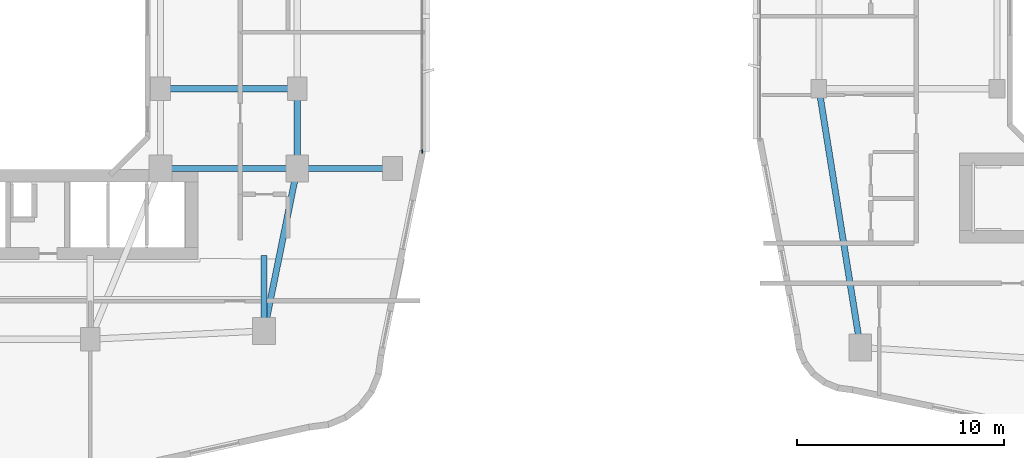
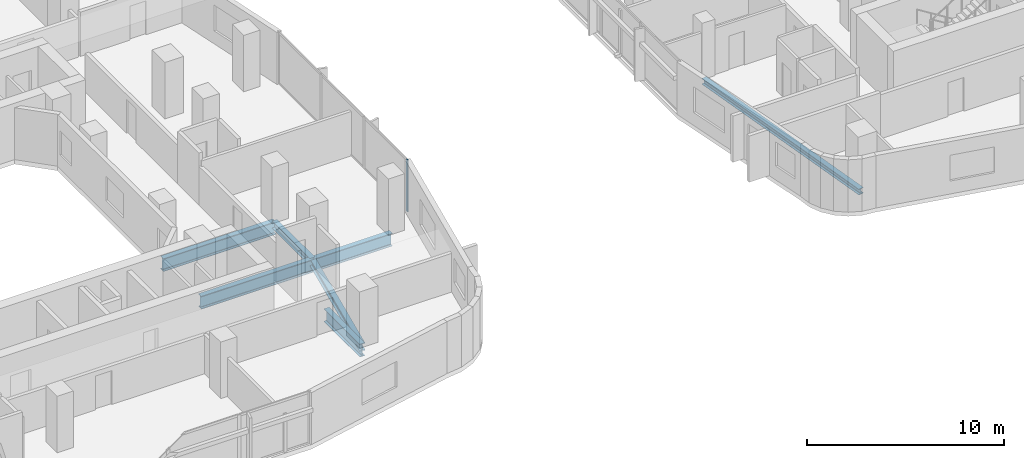
# One storey, part 4 of 26: 7 beams, 1 member, 1 element without a shape of its own.
"""IFC4 building model written with IfcOpenShell, lengths in metres."""

from ifc_helpers import new_model, si_unit, derived_unit, direction, frame, origin, origin_2d, place, context, subcontext, project, spatial, rectangle, i_section, extrude, material, layer, layer_set, material_profile, profile_set, type_object, element, aggregate, save


model = new_model("IFC4")

# Units and contexts
model_context = context("Model", 3, precision=1e-05, world=origin(), true_north=direction((0.0, 1.0)))
body_context = subcontext(model_context, "Body", "Model", "MODEL_VIEW")
ifc_project = project(units=[si_unit("LENGTHUNIT", "METRE"), si_unit("AREAUNIT", "SQUARE_METRE"), si_unit("VOLUMEUNIT", "CUBIC_METRE"), si_unit("PLANEANGLEUNIT", "RADIAN"), si_unit("MASSUNIT", "GRAM", prefix="KILO"), derived_unit("THERMALTRANSMITTANCEUNIT", [(si_unit("POWERUNIT", "WATT"), 1), (si_unit("LENGTHUNIT", "METRE"), -2), (si_unit("THERMODYNAMICTEMPERATUREUNIT", "KELVIN"), -1)])], contexts=[model_context])

# Site, building, storey
site_placement = place(None, origin())
site = spatial("IfcSite", under=ifc_project, at=site_placement, CompositionType="ELEMENT")
building_placement = place(site_placement, origin())
building = spatial("IfcBuilding", under=site, at=building_placement, Name="Kivonza Crest Hotel", CompositionType="ELEMENT")
storey_placement = place(building_placement, frame((0.0, 0.0, 45.0)))
storey = spatial("IfcBuildingStorey", under=building, at=storey_placement, Name="L11", CompositionType="ELEMENT", Elevation=45.0)

# Beams
ifc_material_1 = material(Name="Steel S355", Category="steel")
ifc_material_profile_1 = material_profile(ifc_material_1, i_section(OverallWidth=0.300048828125, OverallDepth=0.360107421875, WebThickness=0.012451171875, FlangeThickness=0.0224609375, FilletRadius=0.027099609375, at=origin_2d()), Name="HEB 360")
ifc_profile_set_1 = profile_set([ifc_material_profile_1], Name="Steel S355")
beam_type_1 = type_object("IfcBeamType", Name="BM-HEB360", PredefinedType="SPANDREL", material=ifc_profile_set_1)
beam_1_placement = place(storey_placement, frame((61.0, 21.5, -0.429931640625), z_axis=(0.157990501107, -0.987440631917, 0.0), x_axis=(0.987440631917, 0.157990501107, 0.0)))
element("IfcBeam", 1, at=beam_1_placement, inside=storey, type_object=beam_type_1, Name="Companion Tower T2 L11 perimeter spandrel W1-SW", PredefinedType="SPANDREL", context=body_context, shape_type="SweptSolid", body=[
    extrude(i_section(OverallWidth=0.300048828125, OverallDepth=0.360107421875, WebThickness=0.012451171875, FlangeThickness=0.0224609375, FilletRadius=0.027099609375, at=origin_2d()), origin(), (0.0, 0.0, 1.0), 12.658935546875),
])
ifc_material_profile_2 = material_profile(ifc_material_1, i_section(OverallWidth=0.300048828125, OverallDepth=0.449951171875, WebThickness=0.013916015625, FlangeThickness=0.02587890625, FilletRadius=0.027099609375, at=origin_2d()), Name="HEB 450")
ifc_profile_set_2 = profile_set([ifc_material_profile_2], Name="Steel S355")
beam_type_2 = type_object("IfcBeamType", Name="BM-HEB450", PredefinedType="SPANDREL", material=ifc_profile_set_2)
beam_2_placement = place(storey_placement, frame((34.199951171875, 9.800048828125, -0.5048828125), z_axis=(0.199730733965, 0.979850822273, 0.0), x_axis=(-0.979850822273, 0.199730733965, 0.0)))
element("IfcBeam", 2, at=beam_2_placement, inside=storey, type_object=beam_type_2, Name="Tower T1 L11 perimeter spandrel SE-PSE", PredefinedType="SPANDREL", context=body_context, shape_type="SweptSolid", body=[
    extrude(i_section(OverallWidth=0.300048828125, OverallDepth=0.449951171875, WebThickness=0.013916015625, FlangeThickness=0.02587890625, FilletRadius=0.027099609375, at=origin_2d()), origin(), (0.0, 0.0, 1.0), 8.01123046875),
])
beam_3_placement = place(storey_placement, frame((35.800048828125, 17.64990234375, -0.5048828125), z_axis=(0.0, 1.0, 0.0), x_axis=(-1.0, 0.0, 0.0)))
element("IfcBeam", 3, at=beam_3_placement, inside=storey, type_object=beam_type_2, Name="Tower T1 L11 perimeter spandrel PSE-E1", PredefinedType="SPANDREL", context=body_context, shape_type="SweptSolid", body=[
    extrude(i_section(OverallWidth=0.300048828125, OverallDepth=0.449951171875, WebThickness=0.013916015625, FlangeThickness=0.02587890625, FilletRadius=0.027099609375, at=origin_2d()), origin(), (0.0, 0.0, 1.0), 3.85009765625),
])
ifc_material_profile_3 = material_profile(ifc_material_1, i_section(OverallWidth=0.300048828125, OverallDepth=0.800048828125, WebThickness=0.017578125, FlangeThickness=0.032958984375, FilletRadius=0.030029296875, at=origin_2d()), Name="HEB 800")
ifc_profile_set_3 = profile_set([ifc_material_profile_3], Name="Steel S355")
beam_type_3 = type_object("IfcBeamType", Name="BM-HEB800", PredefinedType="BEAM", material=ifc_profile_set_3)
for number, where, z_axis, x_axis, name in (
    (4, (29.199951171875, 17.64990234375, -0.679931640625), (1.0, 0.0, 0.0), (0.0, 1.0, 0.0), "Tower T1 L11 primary girder TSE-PSE"),
    (5, (29.199951171875, 21.5, -0.679931640625), (1.0, 0.0, 0.0), (0.0, 1.0, 0.0), "Tower T1 L11 primary girder WR1-E1"),
):
    element("IfcBeam", number, at=place(storey_placement, frame(where, z_axis=z_axis, x_axis=x_axis)), inside=storey, type_object=beam_type_3, Name=name, PredefinedType="BEAM", context=body_context, shape_type="SweptSolid", body=[
        extrude(i_section(OverallWidth=0.300048828125, OverallDepth=0.800048828125, WebThickness=0.017578125, FlangeThickness=0.032958984375, FilletRadius=0.030029296875, at=origin_2d()), origin(), (0.0, 0.0, 1.0), 6.60009765625),
    ])
beam_4_placement = place(storey_placement, frame((40.39990234375, 17.64990234375, -0.679931640625), z_axis=(-1.0, 0.0, 0.0), x_axis=(0.0, -1.0, 0.0)))
element("IfcBeam", 6, at=beam_4_placement, inside=storey, type_object=beam_type_3, Name="Tower T1 L11 outer bay girder ZE1", PredefinedType="BEAM", context=body_context, shape_type="SweptSolid", body=[
    extrude(i_section(OverallWidth=0.300048828125, OverallDepth=0.800048828125, WebThickness=0.017578125, FlangeThickness=0.032958984375, FilletRadius=0.030029296875, at=origin_2d()), origin(), (0.0, 0.0, 1.0), 4.599853515625),
])
beam_5_placement = place(storey_placement, frame((34.199951171875, 9.800048828125, -0.679931640625), z_axis=(0.0, 1.0, 0.0), x_axis=(-1.0, 0.0, 0.0)))
element("IfcBeam", 7, at=beam_5_placement, inside=storey, type_object=beam_type_3, Name="Tower T1 L11 radial core girder RSE", PredefinedType="BEAM", context=body_context, shape_type="SweptSolid", body=[
    extrude(i_section(OverallWidth=0.300048828125, OverallDepth=0.800048828125, WebThickness=0.017578125, FlangeThickness=0.032958984375, FilletRadius=0.030029296875, at=origin_2d()), origin(), (0.0, 0.0, 1.0), 3.64990234375),
])

# Curtain wall, member
ifc_material_2 = material(Name="Anodised bronze aluminium and low-E double glazing", Category="aluminium")
ifc_layer = layer(ifc_material_2, 0.179931640625)
ifc_layer_set = layer_set([ifc_layer], Name="Anodised bronze aluminium and low-E double glazing")
curtain_wall_type = type_object("IfcCurtainWallType", Name="CW-SYS-2", PredefinedType="NOTDEFINED", material=ifc_layer_set)
curtain_wall_placement = place(storey_placement, origin())
curtain_wall = element("IfcCurtainWall", 8, at=curtain_wall_placement, inside=storey, type_object=curtain_wall_type, Name="L11 unitised curtain wall CW-T1-L11-17", PredefinedType="NOTDEFINED")
ifc_material_3 = material(Name="Anodised bronze aluminium", Category="aluminium")
ifc_material_profile_4 = material_profile(ifc_material_3, rectangle(XDim=0.06494140625, YDim=0.179931640625, at=origin_2d()), Name="CW-M 65x180")
ifc_profile_set_4 = profile_set([ifc_material_profile_4], Name="Anodised bronze aluminium")
member_type = type_object("IfcMemberType", Name="CW-MUL-65x180", PredefinedType="MULLION", material=ifc_profile_set_4)
member_placement = place(storey_placement, frame((41.840087890625, 18.472412109375, 0.0), z_axis=(0.0, 0.0, 1.0), x_axis=(-1.0, 0.0, 0.0)))
member = element("IfcMember", 9, at=member_placement, type_object=member_type, Name="CW-2 mullion 1", PredefinedType="MULLION", context=body_context, shape_type="SweptSolid", body=[
    extrude(rectangle(XDim=0.06494140625, YDim=0.179931640625, at=origin_2d()), origin(), (0.0, 0.0, 1.0), 3.219970703125),
])
aggregate(curtain_wall, [member])

save(model, "model.ifc")
